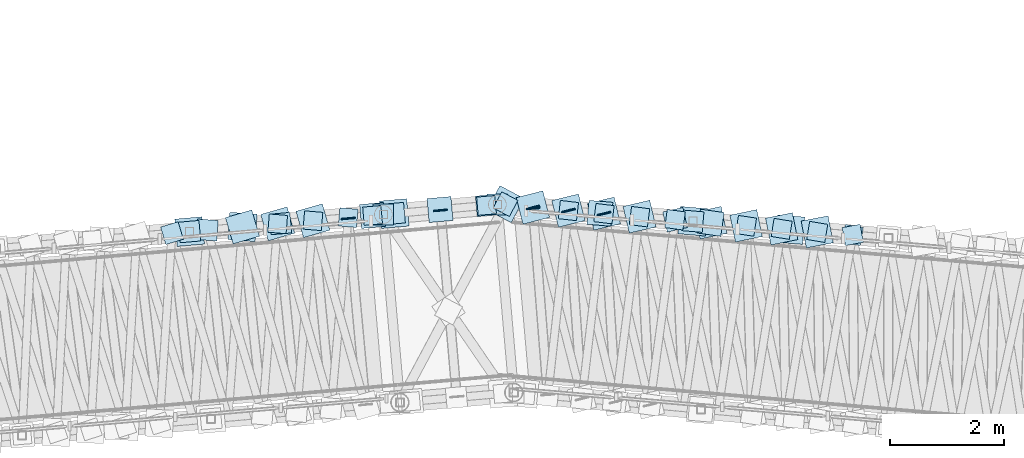
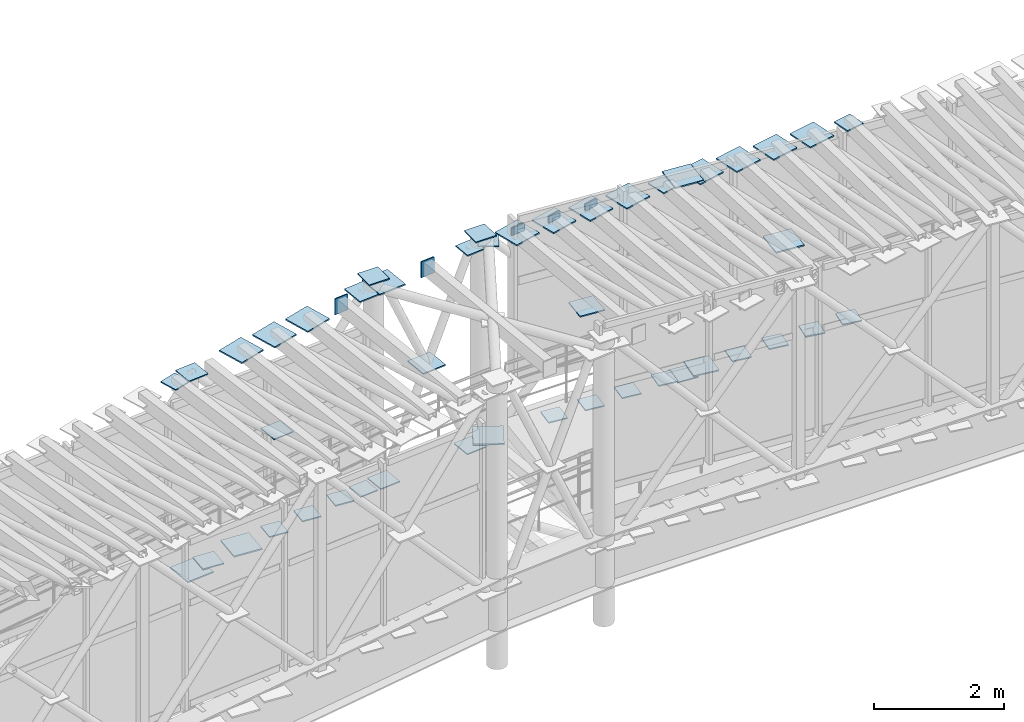
# One storey, part 101 of 144: 52 plates.
"""IFC4 building model written with IfcOpenShell, lengths in metres."""

from ifc_helpers import new_model, si_unit, direction, frame, origin, origin_2d, place, context, subcontext, project, spatial, rectangle, extrude, material, layer, layer_set, type_object, element, save


model = new_model("IFC4")

# Units and contexts
model_context = context("Model", 3, precision=1e-05, world=origin(), true_north=direction((0.0, 1.0)))
body_context = subcontext(model_context, "Body", "Model", "MODEL_VIEW")
ifc_project = project(units=[si_unit("LENGTHUNIT", "METRE"), si_unit("AREAUNIT", "SQUARE_METRE"), si_unit("VOLUMEUNIT", "CUBIC_METRE"), si_unit("PLANEANGLEUNIT", "RADIAN"), si_unit("MASSUNIT", "GRAM", prefix="KILO")], contexts=[model_context])

# Site, building, storey
site_placement = place(None, origin())
site = spatial("IfcSite", under=ifc_project, at=site_placement, CompositionType="ELEMENT")
building_placement = place(site_placement, origin())
building = spatial("IfcBuilding", under=site, at=building_placement, Name="Cinderbank Siding Concert Hall", CompositionType="ELEMENT")
storey_placement = place(building_placement, frame((0.0, 0.0, 5.39990234375)))
storey = spatial("IfcBuildingStorey", under=building, at=storey_placement, Name="L02", CompositionType="ELEMENT", Elevation=5.39990234375)

# Plates
ifc_material = material(Name="Structural steel welded plate section AS/NZS 3679.2 / AS/NZS 3678 Grade 350 (340 MPa)", Category="steel")
ifc_layer_1 = layer(ifc_material, 0.02490234375)
ifc_layer_set_1 = layer_set([ifc_layer_1], Name="Structural steel welded plate section AS/NZS 3679.2 / AS/NZS 3678 Grade 350 (340 MPa)")
plate_type_1 = type_object("IfcPlateType", Name="GP-01 Steel Gusset Cap Plate 480x480x25", PredefinedType="SHEET", material=ifc_layer_set_1)
for number, where, z_axis, x_axis, name in (
    (1, (73.811279296875, 101.962158203125, 1.217529296875), (0.0, 0.0, 1.0), (0.996133609143, 0.087851196551, 0.0), "L02 Steel Node Gusset Plate GP-01 #228"),
    (2, (74.735595703125, 102.043701171875, 1.313232421875), (0.0, 0.0, 1.0), (0.075152767322, 0.997172032081, 0.0), "L02 Steel Node Gusset Plate GP-01 #296"),
    (3, (74.735595703125, 102.043701171875, 4.953125), (0.0, 0.0, 1.0), (0.282676303383, -0.959215360337, 0.0), "L02 Steel Node Gusset Plate GP-01 #300"),
    (4, (75.35205078125, 102.097900390625, 4.996826171875), (0.0, 0.0, 1.0), (0.278320626641, -0.960488224179, 0.0), "L02 Steel Node Gusset Plate GP-01 #304"),
    (5, (75.968505859375, 102.15234375, 5.040283203125), (0.0, 0.0, 1.0), (0.273791358997, -0.961789109805, 0.0), "L02 Steel Node Gusset Plate GP-01 #308"),
    (6, (77.390380859375, 102.277587890625, 5.15771484375), (0.0, 0.0, 1.0), (0.996164214307, 0.08750347498, 0.0), "L02 Steel Node Gusset Plate GP-01 #312"),
    (7, (79.337646484375, 102.44189453125, 1.507568359375), (0.0, 0.0, 1.0), (0.470395925757, 0.882455479348, 0.0), "L02 Steel Node Gusset Plate GP-01 #320"),
    (8, (82.613037109375, 102.14306640625, 5.397705078125), (0.0, 0.0, 1.0), (0.996345296191, -0.085416923137, 0.0), "L02 Steel Node Gusset Plate GP-01 #324"),
    (9, (84.31201171875, 101.997314453125, 3.678466796875), (0.0, 0.0, 1.0), (0.996345296191, -0.085416923137, 0.0), "L02 Steel Node Gusset Plate GP-01 #328"),
    (10, (79.815673828125, 102.3828125, 5.171142578125), (0.0, 0.0, 1.0), (0.248351772716, -0.968669911264, 0.0), "L02 Steel Node Gusset Plate GP-01 #352"),
    (11, (80.437255859375, 102.32958984375, 5.21484375), (0.0, 0.0, 1.0), (0.241244442494, -0.970464383152, 0.0), "L02 Steel Node Gusset Plate GP-01 #356"),
    (12, (81.058837890625, 102.276123046875, 5.258544921875), (0.0, 0.0, 1.0), (0.233954463532, -0.972247555406, 0.0), "L02 Steel Node Gusset Plate GP-01 #360"),
    (13, (81.680419921875, 102.222900390625, 5.30224609375), (0.0, 0.0, 1.0), (0.226821294859, -0.973936394329, 0.0), "L02 Steel Node Gusset Plate GP-01 #364"),
    (14, (82.923828125, 102.116455078125, 5.389404296875), (0.0, 0.0, 1.0), (0.212348227928, -0.977194059589, 0.0), "L02 Steel Node Gusset Plate GP-01 #368"),
    (15, (83.54541015625, 102.06298828125, 5.43310546875), (0.0, 0.0, 1.0), (0.205008557553, -0.978760180703, 0.0), "L02 Steel Node Gusset Plate GP-01 #372"),
    (16, (84.1669921875, 102.009765625, 5.476806640625), (0.0, 0.0, 1.0), (0.197657340379, -0.980271174622, 0.0), "L02 Steel Node Gusset Plate GP-01 #376"),
    (17, (84.788818359375, 101.95654296875, 5.520263671875), (0.0, 0.0, 1.0), (0.190294990453, -0.98172695624, 0.0), "L02 Steel Node Gusset Plate GP-01 #380"),
):
    element("IfcPlate", number, at=place(storey_placement, frame(where, z_axis=z_axis, x_axis=x_axis)), inside=storey, type_object=plate_type_1, Name=name, PredefinedType="SHEET", context=body_context, shape_type="SweptSolid", body=[
        extrude(rectangle(XDim=0.47998046875, YDim=0.47998046875, at=origin_2d()), origin(), (0.0, 0.0, 1.0), 0.02490234375),
    ])
ifc_layer_2 = layer(ifc_material, 0.02197265625)
ifc_layer_set_2 = layer_set([ifc_layer_2], Name="Structural steel welded plate section AS/NZS 3679.2 / AS/NZS 3678 Grade 350 (340 MPa)")
plate_type_2 = type_object("IfcPlateType", Name="GP-02 Steel Gusset Cap Plate 420x420x22", PredefinedType="SHEET", material=ifc_layer_set_2)
for number, where, z_axis, x_axis, name in (
    (18, (77.01171875, 102.244384765625, 5.145751953125), (0.0, 0.0, 1.0), (0.996133609143, 0.087851196551, 0.0), "L02 Steel Node Gusset Plate GP-02 #229"),
    (19, (78.19140625, 102.347900390625, 3.32275390625), (0.0, 0.0, 1.0), (0.996164214307, 0.08750347498, 0.0), "L02 Steel Node Gusset Plate GP-02 #313"),
    (20, (80.988037109375, 102.2822265625, 3.44677734375), (0.0, 0.0, 1.0), (0.996345296191, -0.085416923137, 0.0), "L02 Steel Node Gusset Plate GP-02 #325"),
    (21, (82.923828125, 102.116455078125, 1.7509765625), (0.0, 0.0, 1.0), (0.142283427941, 0.989825957496, 0.0), "L02 Steel Node Gusset Plate GP-02 #365"),
):
    element("IfcPlate", number, at=place(storey_placement, frame(where, z_axis=z_axis, x_axis=x_axis)), inside=storey, type_object=plate_type_2, Name=name, PredefinedType="SHEET", context=body_context, shape_type="SweptSolid", body=[
        extrude(rectangle(XDim=0.419921875, YDim=0.419921875, at=origin_2d()), origin(), (0.0, 0.0, 1.0), 0.02197265625),
    ])
ifc_layer_3 = layer(ifc_material, 0.02001953125)
ifc_layer_set_3 = layer_set([ifc_layer_3], Name="Structural steel welded plate section AS/NZS 3679.2 / AS/NZS 3678 Grade 350 (340 MPa)")
plate_type_3 = type_object("IfcPlateType", Name="GP-03 Steel Gusset Cap Plate 360x360x20", PredefinedType="SHEET", material=ifc_layer_set_3)
for number, where, z_axis, x_axis, name in (
    (22, (77.200927734375, 102.260986328125, 5.35009765625), (0.0, 0.0, 1.0), (1.0, 0.0, 0.0), "L02 Column End Cap Plate GP-03 COL-BRL-03-L02"),
    (23, (79.194091796875, 102.43603515625, 5.35009765625), (0.0, 0.0, 1.0), (1.0, 0.0, 0.0), "L02 Column End Cap Plate GP-03 COL-BRL-04-L02"),
    (24, (73.811279296875, 101.962158203125, 4.920166015625), (0.0, 0.0, 1.0), (0.996133609143, 0.087851196551, 0.0), "L02 Steel Node Gusset Plate GP-03 #226"),
    (25, (75.4013671875, 102.102294921875, 3.1943359375), (0.0, 0.0, 1.0), (0.996133609143, 0.087851196551, 0.0), "L02 Steel Node Gusset Plate GP-03 #230"),
    (26, (74.119384765625, 101.989501953125, 1.27197265625), (0.0, 0.0, 1.0), (0.070452887775, 0.997515107958, 0.0), "L02 Steel Node Gusset Plate GP-03 #294"),
    (27, (77.390380859375, 102.277587890625, 1.460205078125), (0.0, 0.0, 1.0), (0.996164214307, 0.08750347498, 0.0), "L02 Steel Node Gusset Plate GP-03 #310"),
    (28, (79.004638671875, 102.41943359375, 1.460205078125), (0.0, 0.0, 1.0), (0.996164214307, 0.08750347498, 0.0), "L02 Steel Node Gusset Plate GP-03 #314"),
    (29, (82.613037109375, 102.14306640625, 1.7001953125), (0.0, 0.0, 1.0), (0.996345296191, -0.085416923137, 0.0), "L02 Steel Node Gusset Plate GP-03 #326"),
    (30, (82.30224609375, 102.169677734375, 5.348388671875), (0.0, 0.0, 1.0), (0.219675938108, -0.975572899489, 0.0), "L02 Steel Node Gusset Plate GP-03 #366"),
):
    element("IfcPlate", number, at=place(storey_placement, frame(where, z_axis=z_axis, x_axis=x_axis)), inside=storey, type_object=plate_type_3, Name=name, PredefinedType="SHEET", context=body_context, shape_type="SweptSolid", body=[
        extrude(rectangle(XDim=0.360107421875, YDim=0.360107421875, at=origin_2d()), origin(), (0.0, 0.0, 1.0), 0.02001953125),
    ])
ifc_layer_4 = layer(ifc_material, 0.02099609375)
ifc_layer_set_4 = layer_set([ifc_layer_4], Name="Structural steel welded plate section AS/NZS 3679.2 / AS/NZS 3678 Grade 350 (340 MPa)")
plate_type_4 = type_object("IfcPlateType", Name="GP-04 Steel Gusset Cap Plate 320x320x21", PredefinedType="SHEET", material=ifc_layer_set_4)
for number, where, z_axis, x_axis, name in (
    (31, (77.01171875, 102.244384765625, 1.4462890625), (0.0, 0.0, 1.0), (0.996133609143, 0.087851196551, 0.0), "L02 Steel Node Gusset Plate GP-04 #231"),
    (32, (73.503173828125, 101.93505859375, 4.867919921875), (0.0, 0.0, 1.0), (0.29153706017, -0.956559534241, 0.0), "L02 Steel Node Gusset Plate GP-04 #295"),
    (33, (75.35205078125, 102.097900390625, 1.358642578125), (0.0, 0.0, 1.0), (0.079677001159, 0.996820733877, 0.0), "L02 Steel Node Gusset Plate GP-04 #299"),
    (34, (75.968505859375, 102.15234375, 1.40234375), (0.0, 0.0, 1.0), (0.084199594279, 0.996448909038, 0.0), "L02 Steel Node Gusset Plate GP-04 #303"),
    (35, (76.584716796875, 102.206787109375, 1.446044921875), (0.0, 0.0, 1.0), (0.088720453553, 0.996056565222, 0.0), "L02 Steel Node Gusset Plate GP-04 #307"),
    (36, (79.004638671875, 102.41943359375, 5.15966796875), (0.0, 0.0, 1.0), (0.996164214307, 0.08750347498, 0.0), "L02 Steel Node Gusset Plate GP-04 #311"),
    (37, (79.337646484375, 102.44189453125, 5.15966796875), (0.0, 0.0, 1.0), (0.470395925757, 0.882455479348, 0.0), "L02 Steel Node Gusset Plate GP-04 #323"),
    (38, (80.437255859375, 102.32958984375, 1.576904296875), (0.0, 0.0, 1.0), (0.110775124211, 0.993845496974, 0.0), "L02 Steel Node Gusset Plate GP-04 #351"),
    (39, (81.058837890625, 102.276123046875, 1.62060546875), (0.0, 0.0, 1.0), (0.118750571435, 0.992924116831, 0.0), "L02 Steel Node Gusset Plate GP-04 #355"),
    (40, (81.680419921875, 102.222900390625, 1.6640625), (0.0, 0.0, 1.0), (0.126545236492, 0.991960837494, 0.0), "L02 Steel Node Gusset Plate GP-04 #359"),
    (41, (82.30224609375, 102.169677734375, 1.707763671875), (0.0, 0.0, 1.0), (0.134505044618, 0.990912908874, 0.0), "L02 Steel Node Gusset Plate GP-04 #363"),
    (42, (83.54541015625, 102.06298828125, 1.795166015625), (0.0, 0.0, 1.0), (0.150053034553, 0.988677948991, 0.0), "L02 Steel Node Gusset Plate GP-04 #367"),
    (43, (84.1669921875, 102.009765625, 1.838623046875), (0.0, 0.0, 1.0), (0.157985728626, 0.987441395502, 0.0), "L02 Steel Node Gusset Plate GP-04 #371"),
    (44, (84.788818359375, 101.95654296875, 1.88232421875), (0.0, 0.0, 1.0), (0.165736122828, 0.986170136229, 0.0), "L02 Steel Node Gusset Plate GP-04 #375"),
    (45, (85.410400390625, 101.9033203125, 1.926025390625), (0.0, 0.0, 1.0), (0.173476293645, 0.984838045337, 0.0), "L02 Steel Node Gusset Plate GP-04 #379"),
    (46, (85.410400390625, 101.9033203125, 5.56591796875), (0.0, 0.0, 1.0), (0.182921922448, -0.983127443564, 0.0), "L02 Steel Node Gusset Plate GP-04 #383"),
):
    element("IfcPlate", number, at=place(storey_placement, frame(where, z_axis=z_axis, x_axis=x_axis)), inside=storey, type_object=plate_type_4, Name=name, PredefinedType="SHEET", context=body_context, shape_type="SweptSolid", body=[
        extrude(rectangle(XDim=0.320068359375, YDim=0.320068359375, at=origin_2d()), origin(), (0.0, 0.0, 1.0), 0.02099609375),
    ])
plate_type_5 = type_object("IfcPlateType", Name="GP-09 Steel Gusset Cap Plate 20x220x280", PredefinedType="SHEET", material=ifc_material)
for number, where, z_axis, x_axis, name in (
    (47, (76.586181640625, 102.191650390625, 4.9462890625), (0.0, 0.0, 1.0), (-0.092023008338, 0.995756880939, 0.0), "L02 Bridge Purlin End Cap Plate GP-09 #27"),
    (48, (78.19873046875, 102.33349609375, 4.990234375), (0.0, 0.0, 1.0), (-0.087155742748, 0.996194698092, 0.0), "L02 Bridge Purlin End Cap Plate GP-09 #29"),
    (49, (79.81689453125, 102.367919921875, 5.03369140625), (0.0, 0.0, 1.0), (-0.079155056145, 0.996862316013, 0.0), "L02 Bridge Purlin End Cap Plate GP-09 #31"),
):
    element("IfcPlate", number, at=place(storey_placement, frame(where, z_axis=z_axis, x_axis=x_axis)), inside=storey, type_object=plate_type_5, Name=name, PredefinedType="SHEET", context=body_context, shape_type="SweptSolid", body=[
        extrude(rectangle(XDim=0.02001953125, YDim=0.239990234375, at=origin_2d()), origin(), (0.0, 0.0, 1.0), 0.300048828125),
    ])
for number, where, z_axis, x_axis, name in (
    (50, (79.815673828125, 102.3828125, 5.04345703125), (0.0, 0.0, 1.0), (0.248351772716, -0.968669911264, 0.0), "L02 Bridge Roof Brace Cap Plate GP-09 #32"),
    (51, (80.437255859375, 102.32958984375, 5.08740234375), (0.0, 0.0, 1.0), (0.241244442494, -0.970464383152, 0.0), "L02 Bridge Roof Brace Cap Plate GP-09 #34"),
    (52, (81.058837890625, 102.276123046875, 5.130859375), (0.0, 0.0, 1.0), (0.233954463532, -0.972247555406, 0.0), "L02 Bridge Roof Brace Cap Plate GP-09 #36"),
):
    element("IfcPlate", number, at=place(storey_placement, frame(where, z_axis=z_axis, x_axis=x_axis)), inside=storey, type_object=plate_type_5, Name=name, PredefinedType="SHEET", context=body_context, shape_type="SweptSolid", body=[
        extrude(rectangle(XDim=0.02392578125, YDim=0.239990234375, at=origin_2d()), origin(), (0.0, 0.0, 1.0), 0.280029296875),
    ])

save(model, "model.ifc")
